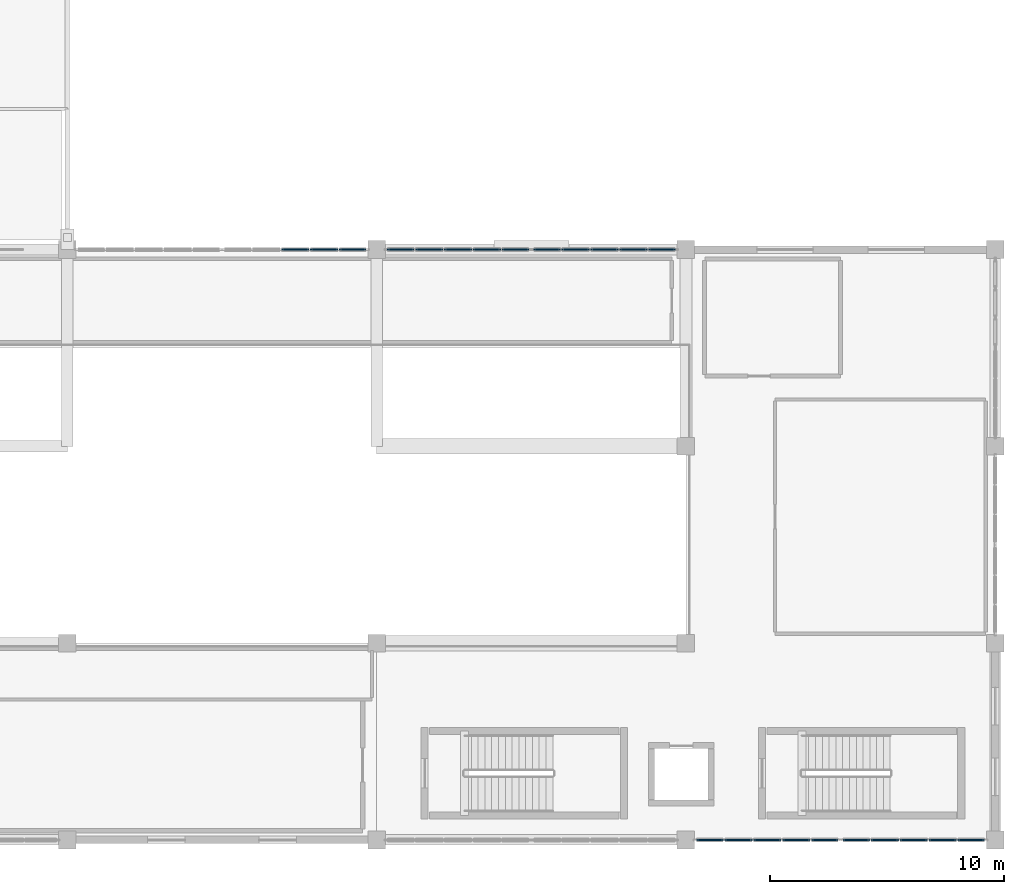
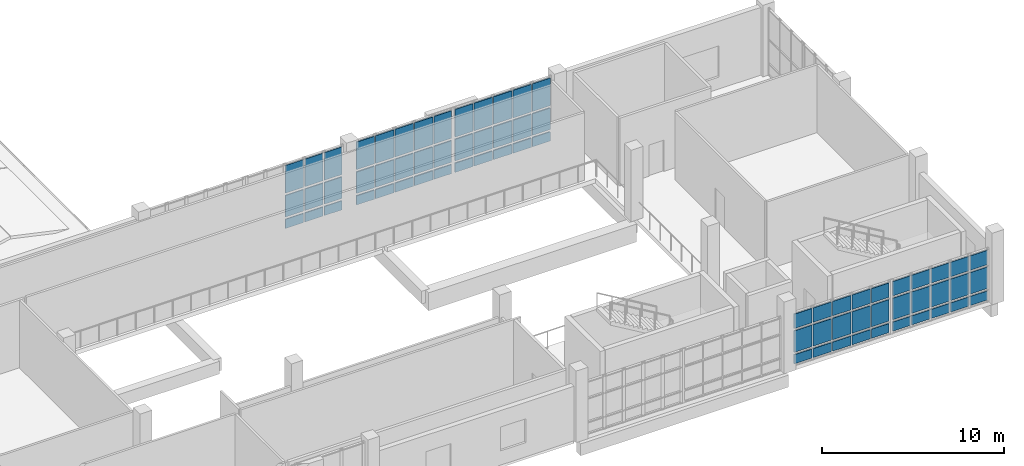
# One storey, part 75 of 106: 69 plates, 5 elements without a shape of their own.
"""IFC4 building model written with IfcOpenShell, lengths in metres."""

from ifc_helpers import new_model, si_unit, direction, frame, origin, origin_2d, place, context, subcontext, project, spatial, rectangle, extrude, material, layer, layer_set, type_object, element, aggregate, save


model = new_model("IFC4")

# Units and contexts
model_context = context("Model", 3, precision=1e-05, world=origin(), true_north=direction((0.0, 1.0)))
body_context = subcontext(model_context, "Body", "Model", "MODEL_VIEW")
ifc_project = project(units=[si_unit("LENGTHUNIT", "METRE"), si_unit("AREAUNIT", "SQUARE_METRE"), si_unit("VOLUMEUNIT", "CUBIC_METRE"), si_unit("PLANEANGLEUNIT", "RADIAN"), si_unit("MASSUNIT", "GRAM", prefix="KILO")], contexts=[model_context])

# Site, building, storey
site_placement = place(None, origin())
site = spatial("IfcSite", under=ifc_project, at=site_placement, CompositionType="ELEMENT")
building_placement = place(site_placement, origin())
building = spatial("IfcBuilding", under=site, at=building_placement, Name="Kisaragi Civic Commons", CompositionType="ELEMENT")
storey_placement = place(building_placement, frame((0.0, 0.0, 4.800048828125)))
storey = spatial("IfcBuildingStorey", under=building, at=storey_placement, Name="L01", CompositionType="ELEMENT", Elevation=4.800048828125)

# Curtain wall, plates
ifc_material = material(Name="Thermally broken anodized aluminium and low-E double glazing", Category="aluminium")
ifc_layer_1 = layer(ifc_material, 0.2099609375, Name="Thermally broken anodized aluminium and low-E double glazing", Category="aluminium")
ifc_layer_set_1 = layer_set([ifc_layer_1], Name="Thermally broken anodized aluminium and low-E double glazing")
curtain_wall_type = type_object("IfcCurtainWallType", Name="CW-02", PredefinedType="NOTDEFINED", material=ifc_layer_set_1)
curtain_wall_1_placement = place(storey_placement, origin())
curtain_wall_1 = element("IfcCurtainWall", 1, at=curtain_wall_1_placement, inside=storey, type_object=curtain_wall_type, Name="L01 curtain wall CW-02 CW-V3-L01-020", PredefinedType="NOTDEFINED")
ifc_layer_2 = layer(ifc_material, 0.06005859375, Name="Thermally broken anodized aluminium and low-E double glazing", Category="aluminium")
ifc_layer_set_2 = layer_set([ifc_layer_2], Name="Thermally broken anodized aluminium and low-E double glazing")
plate_type_1 = type_object("IfcPlateType", Name="CWP-07", PredefinedType="CURTAIN_PANEL", material=ifc_layer_set_2)
plate_1_placement = place(storey_placement, frame((142.925048828125, 25.199951171875, 0.15966796875), z_axis=(0.0, 0.0, 1.0), x_axis=(1.0, 0.0, 0.0)))
plate_1 = element("IfcPlate", 2, at=plate_1_placement, type_object=plate_type_1, Name="CW-02 panel 3.1", PredefinedType="CURTAIN_PANEL", context=body_context, shape_type="SweptSolid", body=[
    extrude(rectangle(XDim=1.1640625, YDim=0.06005859375, at=origin_2d()), origin(), (0.0, 0.0, 1.0), 0.610107421875),
])
plate_2_placement = place(storey_placement, frame((142.925048828125, 25.199951171875, 0.929931640625), z_axis=(0.0, 0.0, 1.0), x_axis=(1.0, 0.0, 0.0)))
plate_2 = element("IfcPlate", 3, at=plate_2_placement, type_object=plate_type_1, Name="CW-02 panel 3.2", PredefinedType="CURTAIN_PANEL", context=body_context, shape_type="SweptSolid", body=[
    extrude(rectangle(XDim=1.1640625, YDim=0.06005859375, at=origin_2d()), origin(), (0.0, 0.0, 1.0), 1.43994140625),
])
plate_3_placement = place(storey_placement, frame((142.925048828125, 25.199951171875, 2.52978515625), z_axis=(0.0, 0.0, 1.0), x_axis=(1.0, 0.0, 0.0)))
plate_3 = element("IfcPlate", 4, at=plate_3_placement, type_object=plate_type_1, Name="CW-02 panel 3.3", PredefinedType="CURTAIN_PANEL", context=body_context, shape_type="SweptSolid", body=[
    extrude(rectangle(XDim=1.1640625, YDim=0.06005859375, at=origin_2d()), origin(), (0.0, 0.0, 1.0), 1.85009765625),
])
plate_4_placement = place(storey_placement, frame((144.158935546875, 25.199951171875, 0.15966796875), z_axis=(0.0, 0.0, 1.0), x_axis=(1.0, 0.0, 0.0)))
plate_4 = element("IfcPlate", 5, at=plate_4_placement, type_object=plate_type_1, Name="CW-02 panel 4.1", PredefinedType="CURTAIN_PANEL", context=body_context, shape_type="SweptSolid", body=[
    extrude(rectangle(XDim=1.1640625, YDim=0.06005859375, at=origin_2d()), origin(), (0.0, 0.0, 1.0), 0.610107421875),
])
plate_5_placement = place(storey_placement, frame((144.158935546875, 25.199951171875, 0.929931640625), z_axis=(0.0, 0.0, 1.0), x_axis=(1.0, 0.0, 0.0)))
plate_5 = element("IfcPlate", 6, at=plate_5_placement, type_object=plate_type_1, Name="CW-02 panel 4.2", PredefinedType="CURTAIN_PANEL", context=body_context, shape_type="SweptSolid", body=[
    extrude(rectangle(XDim=1.1640625, YDim=0.06005859375, at=origin_2d()), origin(), (0.0, 0.0, 1.0), 1.43994140625),
])
plate_6_placement = place(storey_placement, frame((144.158935546875, 25.199951171875, 2.52978515625), z_axis=(0.0, 0.0, 1.0), x_axis=(1.0, 0.0, 0.0)))
plate_6 = element("IfcPlate", 7, at=plate_6_placement, type_object=plate_type_1, Name="CW-02 panel 4.3", PredefinedType="CURTAIN_PANEL", context=body_context, shape_type="SweptSolid", body=[
    extrude(rectangle(XDim=1.1640625, YDim=0.06005859375, at=origin_2d()), origin(), (0.0, 0.0, 1.0), 1.85009765625),
])
plate_7_placement = place(storey_placement, frame((145.37548828125, 25.199951171875, 0.15966796875), z_axis=(0.0, 0.0, 1.0), x_axis=(1.0, 0.0, 0.0)))
plate_7 = element("IfcPlate", 8, at=plate_7_placement, type_object=plate_type_1, Name="CW-02 panel 5.1", PredefinedType="CURTAIN_PANEL", context=body_context, shape_type="SweptSolid", body=[
    extrude(rectangle(XDim=1.12890625, YDim=0.06005859375, at=origin_2d()), origin(), (0.0, 0.0, 1.0), 0.610107421875),
])
plate_8_placement = place(storey_placement, frame((145.37548828125, 25.199951171875, 0.929931640625), z_axis=(0.0, 0.0, 1.0), x_axis=(1.0, 0.0, 0.0)))
plate_8 = element("IfcPlate", 9, at=plate_8_placement, type_object=plate_type_1, Name="CW-02 panel 5.2", PredefinedType="CURTAIN_PANEL", context=body_context, shape_type="SweptSolid", body=[
    extrude(rectangle(XDim=1.12890625, YDim=0.06005859375, at=origin_2d()), origin(), (0.0, 0.0, 1.0), 1.43994140625),
])
plate_9_placement = place(storey_placement, frame((145.37548828125, 25.199951171875, 2.52978515625), z_axis=(0.0, 0.0, 1.0), x_axis=(1.0, 0.0, 0.0)))
plate_9 = element("IfcPlate", 10, at=plate_9_placement, type_object=plate_type_1, Name="CW-02 panel 5.3", PredefinedType="CURTAIN_PANEL", context=body_context, shape_type="SweptSolid", body=[
    extrude(rectangle(XDim=1.12890625, YDim=0.06005859375, at=origin_2d()), origin(), (0.0, 0.0, 1.0), 1.85009765625),
])
aggregate(curtain_wall_1, [plate_1, plate_2, plate_3, plate_4, plate_5, plate_6, plate_7, plate_8, plate_9])

curtain_wall_2_placement = place(storey_placement, origin())
curtain_wall_2 = element("IfcCurtainWall", 11, at=curtain_wall_2_placement, inside=storey, type_object=curtain_wall_type, Name="L01 curtain wall CW-02 CW-V3-L01-021", PredefinedType="NOTDEFINED")
ifc_layer_3 = layer(ifc_material, 0.073974609375, Name="Thermally broken anodized aluminium and low-E double glazing", Category="aluminium")
ifc_layer_set_3 = layer_set([ifc_layer_3], Name="Thermally broken anodized aluminium and low-E double glazing")
plate_type_2 = type_object("IfcPlateType", Name="CWP-09", PredefinedType="CURTAIN_PANEL", material=ifc_layer_set_3)
plate_10_placement = place(storey_placement, frame((147.424560546875, 25.199951171875, 0.15966796875), z_axis=(0.0, 0.0, 1.0), x_axis=(1.0, 0.0, 0.0)))
plate_10 = element("IfcPlate", 12, at=plate_10_placement, type_object=plate_type_2, Name="CW-02 panel 1.1", PredefinedType="CURTAIN_PANEL", context=body_context, shape_type="SweptSolid", body=[
    extrude(rectangle(XDim=1.12890625, YDim=0.073974609375, at=origin_2d()), origin(), (0.0, 0.0, 1.0), 0.610107421875),
])
plate_11_placement = place(storey_placement, frame((147.424560546875, 25.199951171875, 0.929931640625), z_axis=(0.0, 0.0, 1.0), x_axis=(1.0, 0.0, 0.0)))
plate_11 = element("IfcPlate", 13, at=plate_11_placement, type_object=plate_type_2, Name="CW-02 panel 1.2", PredefinedType="CURTAIN_PANEL", context=body_context, shape_type="SweptSolid", body=[
    extrude(rectangle(XDim=1.12890625, YDim=0.073974609375, at=origin_2d()), origin(), (0.0, 0.0, 1.0), 1.43994140625),
])
plate_12_placement = place(storey_placement, frame((147.424560546875, 25.199951171875, 2.52978515625), z_axis=(0.0, 0.0, 1.0), x_axis=(1.0, 0.0, 0.0)))
plate_12 = element("IfcPlate", 14, at=plate_12_placement, type_object=plate_type_2, Name="CW-02 panel 1.3", PredefinedType="CURTAIN_PANEL", context=body_context, shape_type="SweptSolid", body=[
    extrude(rectangle(XDim=1.12890625, YDim=0.073974609375, at=origin_2d()), origin(), (0.0, 0.0, 1.0), 1.85009765625),
])
plate_13_placement = place(storey_placement, frame((148.64111328125, 25.199951171875, 0.15966796875), z_axis=(0.0, 0.0, 1.0), x_axis=(1.0, 0.0, 0.0)))
plate_13 = element("IfcPlate", 15, at=plate_13_placement, type_object=plate_type_2, Name="CW-02 panel 2.1", PredefinedType="CURTAIN_PANEL", context=body_context, shape_type="SweptSolid", body=[
    extrude(rectangle(XDim=1.1640625, YDim=0.073974609375, at=origin_2d()), origin(), (0.0, 0.0, 1.0), 0.610107421875),
])
plate_14_placement = place(storey_placement, frame((148.64111328125, 25.199951171875, 0.929931640625), z_axis=(0.0, 0.0, 1.0), x_axis=(1.0, 0.0, 0.0)))
plate_14 = element("IfcPlate", 16, at=plate_14_placement, type_object=plate_type_2, Name="CW-02 panel 2.2", PredefinedType="CURTAIN_PANEL", context=body_context, shape_type="SweptSolid", body=[
    extrude(rectangle(XDim=1.1640625, YDim=0.073974609375, at=origin_2d()), origin(), (0.0, 0.0, 1.0), 1.43994140625),
])
plate_15_placement = place(storey_placement, frame((148.64111328125, 25.199951171875, 2.52978515625), z_axis=(0.0, 0.0, 1.0), x_axis=(1.0, 0.0, 0.0)))
plate_15 = element("IfcPlate", 17, at=plate_15_placement, type_object=plate_type_2, Name="CW-02 panel 2.3", PredefinedType="CURTAIN_PANEL", context=body_context, shape_type="SweptSolid", body=[
    extrude(rectangle(XDim=1.1640625, YDim=0.073974609375, at=origin_2d()), origin(), (0.0, 0.0, 1.0), 1.85009765625),
])
plate_16_placement = place(storey_placement, frame((149.875, 25.199951171875, 0.15966796875), z_axis=(0.0, 0.0, 1.0), x_axis=(1.0, 0.0, 0.0)))
plate_16 = element("IfcPlate", 18, at=plate_16_placement, type_object=plate_type_2, Name="CW-02 panel 3.1", PredefinedType="CURTAIN_PANEL", context=body_context, shape_type="SweptSolid", body=[
    extrude(rectangle(XDim=1.1640625, YDim=0.073974609375, at=origin_2d()), origin(), (0.0, 0.0, 1.0), 0.610107421875),
])
plate_17_placement = place(storey_placement, frame((149.875, 25.199951171875, 0.929931640625), z_axis=(0.0, 0.0, 1.0), x_axis=(1.0, 0.0, 0.0)))
plate_17 = element("IfcPlate", 19, at=plate_17_placement, type_object=plate_type_2, Name="CW-02 panel 3.2", PredefinedType="CURTAIN_PANEL", context=body_context, shape_type="SweptSolid", body=[
    extrude(rectangle(XDim=1.1640625, YDim=0.073974609375, at=origin_2d()), origin(), (0.0, 0.0, 1.0), 1.43994140625),
])
plate_18_placement = place(storey_placement, frame((149.875, 25.199951171875, 2.52978515625), z_axis=(0.0, 0.0, 1.0), x_axis=(1.0, 0.0, 0.0)))
plate_18 = element("IfcPlate", 20, at=plate_18_placement, type_object=plate_type_2, Name="CW-02 panel 3.3", PredefinedType="CURTAIN_PANEL", context=body_context, shape_type="SweptSolid", body=[
    extrude(rectangle(XDim=1.1640625, YDim=0.073974609375, at=origin_2d()), origin(), (0.0, 0.0, 1.0), 1.85009765625),
])
plate_19_placement = place(storey_placement, frame((151.10888671875, 25.199951171875, 0.15966796875), z_axis=(0.0, 0.0, 1.0), x_axis=(1.0, 0.0, 0.0)))
plate_19 = element("IfcPlate", 21, at=plate_19_placement, type_object=plate_type_2, Name="CW-02 panel 4.1", PredefinedType="CURTAIN_PANEL", context=body_context, shape_type="SweptSolid", body=[
    extrude(rectangle(XDim=1.1640625, YDim=0.073974609375, at=origin_2d()), origin(), (0.0, 0.0, 1.0), 0.610107421875),
])
plate_20_placement = place(storey_placement, frame((151.10888671875, 25.199951171875, 0.929931640625), z_axis=(0.0, 0.0, 1.0), x_axis=(1.0, 0.0, 0.0)))
plate_20 = element("IfcPlate", 22, at=plate_20_placement, type_object=plate_type_2, Name="CW-02 panel 4.2", PredefinedType="CURTAIN_PANEL", context=body_context, shape_type="SweptSolid", body=[
    extrude(rectangle(XDim=1.1640625, YDim=0.073974609375, at=origin_2d()), origin(), (0.0, 0.0, 1.0), 1.43994140625),
])
plate_21_placement = place(storey_placement, frame((151.10888671875, 25.199951171875, 2.52978515625), z_axis=(0.0, 0.0, 1.0), x_axis=(1.0, 0.0, 0.0)))
plate_21 = element("IfcPlate", 23, at=plate_21_placement, type_object=plate_type_2, Name="CW-02 panel 4.3", PredefinedType="CURTAIN_PANEL", context=body_context, shape_type="SweptSolid", body=[
    extrude(rectangle(XDim=1.1640625, YDim=0.073974609375, at=origin_2d()), origin(), (0.0, 0.0, 1.0), 1.85009765625),
])
plate_22_placement = place(storey_placement, frame((152.325439453125, 25.199951171875, 0.15966796875), z_axis=(0.0, 0.0, 1.0), x_axis=(1.0, 0.0, 0.0)))
plate_22 = element("IfcPlate", 24, at=plate_22_placement, type_object=plate_type_2, Name="CW-02 panel 5.1", PredefinedType="CURTAIN_PANEL", context=body_context, shape_type="SweptSolid", body=[
    extrude(rectangle(XDim=1.12890625, YDim=0.073974609375, at=origin_2d()), origin(), (0.0, 0.0, 1.0), 0.610107421875),
])
plate_23_placement = place(storey_placement, frame((152.325439453125, 25.199951171875, 0.929931640625), z_axis=(0.0, 0.0, 1.0), x_axis=(1.0, 0.0, 0.0)))
plate_23 = element("IfcPlate", 25, at=plate_23_placement, type_object=plate_type_2, Name="CW-02 panel 5.2", PredefinedType="CURTAIN_PANEL", context=body_context, shape_type="SweptSolid", body=[
    extrude(rectangle(XDim=1.12890625, YDim=0.073974609375, at=origin_2d()), origin(), (0.0, 0.0, 1.0), 1.43994140625),
])
plate_24_placement = place(storey_placement, frame((152.325439453125, 25.199951171875, 2.52978515625), z_axis=(0.0, 0.0, 1.0), x_axis=(1.0, 0.0, 0.0)))
plate_24 = element("IfcPlate", 26, at=plate_24_placement, type_object=plate_type_2, Name="CW-02 panel 5.3", PredefinedType="CURTAIN_PANEL", context=body_context, shape_type="SweptSolid", body=[
    extrude(rectangle(XDim=1.12890625, YDim=0.073974609375, at=origin_2d()), origin(), (0.0, 0.0, 1.0), 1.85009765625),
])
aggregate(curtain_wall_2, [plate_10, plate_11, plate_12, plate_13, plate_14, plate_15, plate_16, plate_17, plate_18, plate_19, plate_20, plate_21, plate_22, plate_23, plate_24])

curtain_wall_3_placement = place(storey_placement, origin())
curtain_wall_3 = element("IfcCurtainWall", 27, at=curtain_wall_3_placement, inside=storey, type_object=curtain_wall_type, Name="L01 curtain wall CW-02 CW-V3-L01-022", PredefinedType="NOTDEFINED")
ifc_layer_4 = layer(ifc_material, 0.080078125, Name="Thermally broken anodized aluminium and low-E double glazing", Category="aluminium")
ifc_layer_set_4 = layer_set([ifc_layer_4], Name="Thermally broken anodized aluminium and low-E double glazing")
plate_type_3 = type_object("IfcPlateType", Name="CWP-10", PredefinedType="CURTAIN_PANEL", material=ifc_layer_set_4)
plate_25_placement = place(storey_placement, frame((153.674560546875, 25.199951171875, 0.15966796875), z_axis=(0.0, 0.0, 1.0), x_axis=(1.0, 0.0, 0.0)))
plate_25 = element("IfcPlate", 28, at=plate_25_placement, type_object=plate_type_3, Name="CW-02 panel 1.1", PredefinedType="CURTAIN_PANEL", context=body_context, shape_type="SweptSolid", body=[
    extrude(rectangle(XDim=1.12890625, YDim=0.080078125, at=origin_2d()), origin(), (0.0, 0.0, 1.0), 0.610107421875),
])
plate_26_placement = place(storey_placement, frame((153.674560546875, 25.199951171875, 0.929931640625), z_axis=(0.0, 0.0, 1.0), x_axis=(1.0, 0.0, 0.0)))
plate_26 = element("IfcPlate", 29, at=plate_26_placement, type_object=plate_type_3, Name="CW-02 panel 1.2", PredefinedType="CURTAIN_PANEL", context=body_context, shape_type="SweptSolid", body=[
    extrude(rectangle(XDim=1.12890625, YDim=0.080078125, at=origin_2d()), origin(), (0.0, 0.0, 1.0), 1.43994140625),
])
plate_27_placement = place(storey_placement, frame((153.674560546875, 25.199951171875, 2.52978515625), z_axis=(0.0, 0.0, 1.0), x_axis=(1.0, 0.0, 0.0)))
plate_27 = element("IfcPlate", 30, at=plate_27_placement, type_object=plate_type_3, Name="CW-02 panel 1.3", PredefinedType="CURTAIN_PANEL", context=body_context, shape_type="SweptSolid", body=[
    extrude(rectangle(XDim=1.12890625, YDim=0.080078125, at=origin_2d()), origin(), (0.0, 0.0, 1.0), 1.85009765625),
])
plate_28_placement = place(storey_placement, frame((154.89111328125, 25.199951171875, 0.15966796875), z_axis=(0.0, 0.0, 1.0), x_axis=(1.0, 0.0, 0.0)))
plate_28 = element("IfcPlate", 31, at=plate_28_placement, type_object=plate_type_3, Name="CW-02 panel 2.1", PredefinedType="CURTAIN_PANEL", context=body_context, shape_type="SweptSolid", body=[
    extrude(rectangle(XDim=1.1640625, YDim=0.080078125, at=origin_2d()), origin(), (0.0, 0.0, 1.0), 0.610107421875),
])
plate_29_placement = place(storey_placement, frame((154.89111328125, 25.199951171875, 0.929931640625), z_axis=(0.0, 0.0, 1.0), x_axis=(1.0, 0.0, 0.0)))
plate_29 = element("IfcPlate", 32, at=plate_29_placement, type_object=plate_type_3, Name="CW-02 panel 2.2", PredefinedType="CURTAIN_PANEL", context=body_context, shape_type="SweptSolid", body=[
    extrude(rectangle(XDim=1.1640625, YDim=0.080078125, at=origin_2d()), origin(), (0.0, 0.0, 1.0), 1.43994140625),
])
plate_30_placement = place(storey_placement, frame((154.89111328125, 25.199951171875, 2.52978515625), z_axis=(0.0, 0.0, 1.0), x_axis=(1.0, 0.0, 0.0)))
plate_30 = element("IfcPlate", 33, at=plate_30_placement, type_object=plate_type_3, Name="CW-02 panel 2.3", PredefinedType="CURTAIN_PANEL", context=body_context, shape_type="SweptSolid", body=[
    extrude(rectangle(XDim=1.1640625, YDim=0.080078125, at=origin_2d()), origin(), (0.0, 0.0, 1.0), 1.85009765625),
])
plate_31_placement = place(storey_placement, frame((156.125, 25.199951171875, 0.15966796875), z_axis=(0.0, 0.0, 1.0), x_axis=(1.0, 0.0, 0.0)))
plate_31 = element("IfcPlate", 34, at=plate_31_placement, type_object=plate_type_3, Name="CW-02 panel 3.1", PredefinedType="CURTAIN_PANEL", context=body_context, shape_type="SweptSolid", body=[
    extrude(rectangle(XDim=1.1640625, YDim=0.080078125, at=origin_2d()), origin(), (0.0, 0.0, 1.0), 0.610107421875),
])
plate_32_placement = place(storey_placement, frame((156.125, 25.199951171875, 0.929931640625), z_axis=(0.0, 0.0, 1.0), x_axis=(1.0, 0.0, 0.0)))
plate_32 = element("IfcPlate", 35, at=plate_32_placement, type_object=plate_type_3, Name="CW-02 panel 3.2", PredefinedType="CURTAIN_PANEL", context=body_context, shape_type="SweptSolid", body=[
    extrude(rectangle(XDim=1.1640625, YDim=0.080078125, at=origin_2d()), origin(), (0.0, 0.0, 1.0), 1.43994140625),
])
plate_33_placement = place(storey_placement, frame((156.125, 25.199951171875, 2.52978515625), z_axis=(0.0, 0.0, 1.0), x_axis=(1.0, 0.0, 0.0)))
plate_33 = element("IfcPlate", 36, at=plate_33_placement, type_object=plate_type_3, Name="CW-02 panel 3.3", PredefinedType="CURTAIN_PANEL", context=body_context, shape_type="SweptSolid", body=[
    extrude(rectangle(XDim=1.1640625, YDim=0.080078125, at=origin_2d()), origin(), (0.0, 0.0, 1.0), 1.85009765625),
])
plate_34_placement = place(storey_placement, frame((157.35888671875, 25.199951171875, 0.15966796875), z_axis=(0.0, 0.0, 1.0), x_axis=(1.0, 0.0, 0.0)))
plate_34 = element("IfcPlate", 37, at=plate_34_placement, type_object=plate_type_3, Name="CW-02 panel 4.1", PredefinedType="CURTAIN_PANEL", context=body_context, shape_type="SweptSolid", body=[
    extrude(rectangle(XDim=1.1640625, YDim=0.080078125, at=origin_2d()), origin(), (0.0, 0.0, 1.0), 0.610107421875),
])
plate_35_placement = place(storey_placement, frame((157.35888671875, 25.199951171875, 0.929931640625), z_axis=(0.0, 0.0, 1.0), x_axis=(1.0, 0.0, 0.0)))
plate_35 = element("IfcPlate", 38, at=plate_35_placement, type_object=plate_type_3, Name="CW-02 panel 4.2", PredefinedType="CURTAIN_PANEL", context=body_context, shape_type="SweptSolid", body=[
    extrude(rectangle(XDim=1.1640625, YDim=0.080078125, at=origin_2d()), origin(), (0.0, 0.0, 1.0), 1.43994140625),
])
plate_36_placement = place(storey_placement, frame((157.35888671875, 25.199951171875, 2.52978515625), z_axis=(0.0, 0.0, 1.0), x_axis=(1.0, 0.0, 0.0)))
plate_36 = element("IfcPlate", 39, at=plate_36_placement, type_object=plate_type_3, Name="CW-02 panel 4.3", PredefinedType="CURTAIN_PANEL", context=body_context, shape_type="SweptSolid", body=[
    extrude(rectangle(XDim=1.1640625, YDim=0.080078125, at=origin_2d()), origin(), (0.0, 0.0, 1.0), 1.85009765625),
])
plate_37_placement = place(storey_placement, frame((158.575439453125, 25.199951171875, 0.15966796875), z_axis=(0.0, 0.0, 1.0), x_axis=(1.0, 0.0, 0.0)))
plate_37 = element("IfcPlate", 40, at=plate_37_placement, type_object=plate_type_3, Name="CW-02 panel 5.1", PredefinedType="CURTAIN_PANEL", context=body_context, shape_type="SweptSolid", body=[
    extrude(rectangle(XDim=1.12890625, YDim=0.080078125, at=origin_2d()), origin(), (0.0, 0.0, 1.0), 0.610107421875),
])
plate_38_placement = place(storey_placement, frame((158.575439453125, 25.199951171875, 0.929931640625), z_axis=(0.0, 0.0, 1.0), x_axis=(1.0, 0.0, 0.0)))
plate_38 = element("IfcPlate", 41, at=plate_38_placement, type_object=plate_type_3, Name="CW-02 panel 5.2", PredefinedType="CURTAIN_PANEL", context=body_context, shape_type="SweptSolid", body=[
    extrude(rectangle(XDim=1.12890625, YDim=0.080078125, at=origin_2d()), origin(), (0.0, 0.0, 1.0), 1.43994140625),
])
plate_39_placement = place(storey_placement, frame((158.575439453125, 25.199951171875, 2.52978515625), z_axis=(0.0, 0.0, 1.0), x_axis=(1.0, 0.0, 0.0)))
plate_39 = element("IfcPlate", 42, at=plate_39_placement, type_object=plate_type_3, Name="CW-02 panel 5.3", PredefinedType="CURTAIN_PANEL", context=body_context, shape_type="SweptSolid", body=[
    extrude(rectangle(XDim=1.12890625, YDim=0.080078125, at=origin_2d()), origin(), (0.0, 0.0, 1.0), 1.85009765625),
])
aggregate(curtain_wall_3, [plate_25, plate_26, plate_27, plate_28, plate_29, plate_30, plate_31, plate_32, plate_33, plate_34, plate_35, plate_36, plate_37, plate_38, plate_39])

curtain_wall_4_placement = place(storey_placement, origin())
curtain_wall_4 = element("IfcCurtainWall", 43, at=curtain_wall_4_placement, inside=storey, type_object=curtain_wall_type, Name="L01 curtain wall CW-02 CW-V3-L01-027", PredefinedType="NOTDEFINED")
ifc_layer_5 = layer(ifc_material, 0.06201171875, Name="Thermally broken anodized aluminium and low-E double glazing", Category="aluminium")
ifc_layer_set_5 = layer_set([ifc_layer_5], Name="Thermally broken anodized aluminium and low-E double glazing")
plate_type_4 = type_object("IfcPlateType", Name="CWP-16", PredefinedType="CURTAIN_PANEL", material=ifc_layer_set_5)
plate_40_placement = place(storey_placement, frame((171.775390625, 0.0, 0.15966796875), z_axis=(0.0, 0.0, 1.0), x_axis=(-1.0, 0.0, 0.0)))
plate_40 = element("IfcPlate", 44, at=plate_40_placement, type_object=plate_type_4, Name="CW-02 panel 1.1", PredefinedType="CURTAIN_PANEL", context=body_context, shape_type="SweptSolid", body=[
    extrude(rectangle(XDim=1.12890625, YDim=0.06201171875, at=origin_2d()), origin(), (0.0, 0.0, 1.0), 0.610107421875),
])
plate_41_placement = place(storey_placement, frame((171.775390625, 0.0, 0.929931640625), z_axis=(0.0, 0.0, 1.0), x_axis=(-1.0, 0.0, 0.0)))
plate_41 = element("IfcPlate", 45, at=plate_41_placement, type_object=plate_type_4, Name="CW-02 panel 1.2", PredefinedType="CURTAIN_PANEL", context=body_context, shape_type="SweptSolid", body=[
    extrude(rectangle(XDim=1.12890625, YDim=0.06201171875, at=origin_2d()), origin(), (0.0, 0.0, 1.0), 1.43994140625),
])
plate_42_placement = place(storey_placement, frame((171.775390625, 0.0, 2.52978515625), z_axis=(0.0, 0.0, 1.0), x_axis=(-1.0, 0.0, 0.0)))
plate_42 = element("IfcPlate", 46, at=plate_42_placement, type_object=plate_type_4, Name="CW-02 panel 1.3", PredefinedType="CURTAIN_PANEL", context=body_context, shape_type="SweptSolid", body=[
    extrude(rectangle(XDim=1.12890625, YDim=0.06201171875, at=origin_2d()), origin(), (0.0, 0.0, 1.0), 0.965087890625),
])
plate_43_placement = place(storey_placement, frame((170.55908203125, 0.0, 0.15966796875), z_axis=(0.0, 0.0, 1.0), x_axis=(-1.0, 0.0, 0.0)))
plate_43 = element("IfcPlate", 47, at=plate_43_placement, type_object=plate_type_4, Name="CW-02 panel 2.1", PredefinedType="CURTAIN_PANEL", context=body_context, shape_type="SweptSolid", body=[
    extrude(rectangle(XDim=1.1640625, YDim=0.06201171875, at=origin_2d()), origin(), (0.0, 0.0, 1.0), 0.610107421875),
])
plate_44_placement = place(storey_placement, frame((170.55908203125, 0.0, 0.929931640625), z_axis=(0.0, 0.0, 1.0), x_axis=(-1.0, 0.0, 0.0)))
plate_44 = element("IfcPlate", 48, at=plate_44_placement, type_object=plate_type_4, Name="CW-02 panel 2.2", PredefinedType="CURTAIN_PANEL", context=body_context, shape_type="SweptSolid", body=[
    extrude(rectangle(XDim=1.1640625, YDim=0.06201171875, at=origin_2d()), origin(), (0.0, 0.0, 1.0), 1.43994140625),
])
plate_45_placement = place(storey_placement, frame((170.55908203125, 0.0, 2.52978515625), z_axis=(0.0, 0.0, 1.0), x_axis=(-1.0, 0.0, 0.0)))
plate_45 = element("IfcPlate", 49, at=plate_45_placement, type_object=plate_type_4, Name="CW-02 panel 2.3", PredefinedType="CURTAIN_PANEL", context=body_context, shape_type="SweptSolid", body=[
    extrude(rectangle(XDim=1.1640625, YDim=0.06201171875, at=origin_2d()), origin(), (0.0, 0.0, 1.0), 0.965087890625),
])
plate_46_placement = place(storey_placement, frame((169.324951171875, 0.0, 0.15966796875), z_axis=(0.0, 0.0, 1.0), x_axis=(-1.0, 0.0, 0.0)))
plate_46 = element("IfcPlate", 50, at=plate_46_placement, type_object=plate_type_4, Name="CW-02 panel 3.1", PredefinedType="CURTAIN_PANEL", context=body_context, shape_type="SweptSolid", body=[
    extrude(rectangle(XDim=1.1640625, YDim=0.06201171875, at=origin_2d()), origin(), (0.0, 0.0, 1.0), 0.610107421875),
])
plate_47_placement = place(storey_placement, frame((169.324951171875, 0.0, 0.929931640625), z_axis=(0.0, 0.0, 1.0), x_axis=(-1.0, 0.0, 0.0)))
plate_47 = element("IfcPlate", 51, at=plate_47_placement, type_object=plate_type_4, Name="CW-02 panel 3.2", PredefinedType="CURTAIN_PANEL", context=body_context, shape_type="SweptSolid", body=[
    extrude(rectangle(XDim=1.1640625, YDim=0.06201171875, at=origin_2d()), origin(), (0.0, 0.0, 1.0), 1.43994140625),
])
plate_48_placement = place(storey_placement, frame((169.324951171875, 0.0, 2.52978515625), z_axis=(0.0, 0.0, 1.0), x_axis=(-1.0, 0.0, 0.0)))
plate_48 = element("IfcPlate", 52, at=plate_48_placement, type_object=plate_type_4, Name="CW-02 panel 3.3", PredefinedType="CURTAIN_PANEL", context=body_context, shape_type="SweptSolid", body=[
    extrude(rectangle(XDim=1.1640625, YDim=0.06201171875, at=origin_2d()), origin(), (0.0, 0.0, 1.0), 0.965087890625),
])
plate_49_placement = place(storey_placement, frame((168.091064453125, 0.0, 0.15966796875), z_axis=(0.0, 0.0, 1.0), x_axis=(-1.0, 0.0, 0.0)))
plate_49 = element("IfcPlate", 53, at=plate_49_placement, type_object=plate_type_4, Name="CW-02 panel 4.1", PredefinedType="CURTAIN_PANEL", context=body_context, shape_type="SweptSolid", body=[
    extrude(rectangle(XDim=1.1640625, YDim=0.06201171875, at=origin_2d()), origin(), (0.0, 0.0, 1.0), 0.610107421875),
])
plate_50_placement = place(storey_placement, frame((168.091064453125, 0.0, 0.929931640625), z_axis=(0.0, 0.0, 1.0), x_axis=(-1.0, 0.0, 0.0)))
plate_50 = element("IfcPlate", 54, at=plate_50_placement, type_object=plate_type_4, Name="CW-02 panel 4.2", PredefinedType="CURTAIN_PANEL", context=body_context, shape_type="SweptSolid", body=[
    extrude(rectangle(XDim=1.1640625, YDim=0.06201171875, at=origin_2d()), origin(), (0.0, 0.0, 1.0), 1.43994140625),
])
plate_51_placement = place(storey_placement, frame((168.091064453125, 0.0, 2.52978515625), z_axis=(0.0, 0.0, 1.0), x_axis=(-1.0, 0.0, 0.0)))
plate_51 = element("IfcPlate", 55, at=plate_51_placement, type_object=plate_type_4, Name="CW-02 panel 4.3", PredefinedType="CURTAIN_PANEL", context=body_context, shape_type="SweptSolid", body=[
    extrude(rectangle(XDim=1.1640625, YDim=0.06201171875, at=origin_2d()), origin(), (0.0, 0.0, 1.0), 0.965087890625),
])
plate_52_placement = place(storey_placement, frame((166.87451171875, 0.0, 0.15966796875), z_axis=(0.0, 0.0, 1.0), x_axis=(-1.0, 0.0, 0.0)))
plate_52 = element("IfcPlate", 56, at=plate_52_placement, type_object=plate_type_4, Name="CW-02 panel 5.1", PredefinedType="CURTAIN_PANEL", context=body_context, shape_type="SweptSolid", body=[
    extrude(rectangle(XDim=1.12890625, YDim=0.06201171875, at=origin_2d()), origin(), (0.0, 0.0, 1.0), 0.610107421875),
])
plate_53_placement = place(storey_placement, frame((166.87451171875, 0.0, 0.929931640625), z_axis=(0.0, 0.0, 1.0), x_axis=(-1.0, 0.0, 0.0)))
plate_53 = element("IfcPlate", 57, at=plate_53_placement, type_object=plate_type_4, Name="CW-02 panel 5.2", PredefinedType="CURTAIN_PANEL", context=body_context, shape_type="SweptSolid", body=[
    extrude(rectangle(XDim=1.12890625, YDim=0.06201171875, at=origin_2d()), origin(), (0.0, 0.0, 1.0), 1.43994140625),
])
plate_54_placement = place(storey_placement, frame((166.87451171875, 0.0, 2.52978515625), z_axis=(0.0, 0.0, 1.0), x_axis=(-1.0, 0.0, 0.0)))
plate_54 = element("IfcPlate", 58, at=plate_54_placement, type_object=plate_type_4, Name="CW-02 panel 5.3", PredefinedType="CURTAIN_PANEL", context=body_context, shape_type="SweptSolid", body=[
    extrude(rectangle(XDim=1.12890625, YDim=0.06201171875, at=origin_2d()), origin(), (0.0, 0.0, 1.0), 0.965087890625),
])
aggregate(curtain_wall_4, [plate_40, plate_41, plate_42, plate_43, plate_44, plate_45, plate_46, plate_47, plate_48, plate_49, plate_50, plate_51, plate_52, plate_53, plate_54])

curtain_wall_5_placement = place(storey_placement, origin())
curtain_wall_5 = element("IfcCurtainWall", 59, at=curtain_wall_5_placement, inside=storey, type_object=curtain_wall_type, Name="L01 curtain wall CW-02 CW-V3-L01-028", PredefinedType="NOTDEFINED")
ifc_layer_6 = layer(ifc_material, 0.070068359375, Name="Thermally broken anodized aluminium and low-E double glazing", Category="aluminium")
ifc_layer_set_6 = layer_set([ifc_layer_6], Name="Thermally broken anodized aluminium and low-E double glazing")
plate_type_5 = type_object("IfcPlateType", Name="CWP-17", PredefinedType="CURTAIN_PANEL", material=ifc_layer_set_6)
plate_55_placement = place(storey_placement, frame((165.525390625, 0.0, 0.15966796875), z_axis=(0.0, 0.0, 1.0), x_axis=(-1.0, 0.0, 0.0)))
plate_55 = element("IfcPlate", 60, at=plate_55_placement, type_object=plate_type_5, Name="CW-02 panel 1.1", PredefinedType="CURTAIN_PANEL", context=body_context, shape_type="SweptSolid", body=[
    extrude(rectangle(XDim=1.12890625, YDim=0.070068359375, at=origin_2d()), origin(), (0.0, 0.0, 1.0), 0.610107421875),
])
plate_56_placement = place(storey_placement, frame((165.525390625, 0.0, 0.929931640625), z_axis=(0.0, 0.0, 1.0), x_axis=(-1.0, 0.0, 0.0)))
plate_56 = element("IfcPlate", 61, at=plate_56_placement, type_object=plate_type_5, Name="CW-02 panel 1.2", PredefinedType="CURTAIN_PANEL", context=body_context, shape_type="SweptSolid", body=[
    extrude(rectangle(XDim=1.12890625, YDim=0.070068359375, at=origin_2d()), origin(), (0.0, 0.0, 1.0), 1.43994140625),
])
plate_57_placement = place(storey_placement, frame((165.525390625, 0.0, 2.52978515625), z_axis=(0.0, 0.0, 1.0), x_axis=(-1.0, 0.0, 0.0)))
plate_57 = element("IfcPlate", 62, at=plate_57_placement, type_object=plate_type_5, Name="CW-02 panel 1.3", PredefinedType="CURTAIN_PANEL", context=body_context, shape_type="SweptSolid", body=[
    extrude(rectangle(XDim=1.12890625, YDim=0.070068359375, at=origin_2d()), origin(), (0.0, 0.0, 1.0), 0.965087890625),
])
plate_58_placement = place(storey_placement, frame((164.30908203125, 0.0, 0.15966796875), z_axis=(0.0, 0.0, 1.0), x_axis=(-1.0, 0.0, 0.0)))
plate_58 = element("IfcPlate", 63, at=plate_58_placement, type_object=plate_type_5, Name="CW-02 panel 2.1", PredefinedType="CURTAIN_PANEL", context=body_context, shape_type="SweptSolid", body=[
    extrude(rectangle(XDim=1.1640625, YDim=0.070068359375, at=origin_2d()), origin(), (0.0, 0.0, 1.0), 0.610107421875),
])
plate_59_placement = place(storey_placement, frame((164.30908203125, 0.0, 0.929931640625), z_axis=(0.0, 0.0, 1.0), x_axis=(-1.0, 0.0, 0.0)))
plate_59 = element("IfcPlate", 64, at=plate_59_placement, type_object=plate_type_5, Name="CW-02 panel 2.2", PredefinedType="CURTAIN_PANEL", context=body_context, shape_type="SweptSolid", body=[
    extrude(rectangle(XDim=1.1640625, YDim=0.070068359375, at=origin_2d()), origin(), (0.0, 0.0, 1.0), 1.43994140625),
])
plate_60_placement = place(storey_placement, frame((164.30908203125, 0.0, 2.52978515625), z_axis=(0.0, 0.0, 1.0), x_axis=(-1.0, 0.0, 0.0)))
plate_60 = element("IfcPlate", 65, at=plate_60_placement, type_object=plate_type_5, Name="CW-02 panel 2.3", PredefinedType="CURTAIN_PANEL", context=body_context, shape_type="SweptSolid", body=[
    extrude(rectangle(XDim=1.1640625, YDim=0.070068359375, at=origin_2d()), origin(), (0.0, 0.0, 1.0), 0.965087890625),
])
plate_61_placement = place(storey_placement, frame((163.074951171875, 0.0, 0.15966796875), z_axis=(0.0, 0.0, 1.0), x_axis=(-1.0, 0.0, 0.0)))
plate_61 = element("IfcPlate", 66, at=plate_61_placement, type_object=plate_type_5, Name="CW-02 panel 3.1", PredefinedType="CURTAIN_PANEL", context=body_context, shape_type="SweptSolid", body=[
    extrude(rectangle(XDim=1.1640625, YDim=0.070068359375, at=origin_2d()), origin(), (0.0, 0.0, 1.0), 0.610107421875),
])
plate_62_placement = place(storey_placement, frame((163.074951171875, 0.0, 0.929931640625), z_axis=(0.0, 0.0, 1.0), x_axis=(-1.0, 0.0, 0.0)))
plate_62 = element("IfcPlate", 67, at=plate_62_placement, type_object=plate_type_5, Name="CW-02 panel 3.2", PredefinedType="CURTAIN_PANEL", context=body_context, shape_type="SweptSolid", body=[
    extrude(rectangle(XDim=1.1640625, YDim=0.070068359375, at=origin_2d()), origin(), (0.0, 0.0, 1.0), 1.43994140625),
])
plate_63_placement = place(storey_placement, frame((163.074951171875, 0.0, 2.52978515625), z_axis=(0.0, 0.0, 1.0), x_axis=(-1.0, 0.0, 0.0)))
plate_63 = element("IfcPlate", 68, at=plate_63_placement, type_object=plate_type_5, Name="CW-02 panel 3.3", PredefinedType="CURTAIN_PANEL", context=body_context, shape_type="SweptSolid", body=[
    extrude(rectangle(XDim=1.1640625, YDim=0.070068359375, at=origin_2d()), origin(), (0.0, 0.0, 1.0), 0.965087890625),
])
plate_64_placement = place(storey_placement, frame((161.841064453125, 0.0, 0.15966796875), z_axis=(0.0, 0.0, 1.0), x_axis=(-1.0, 0.0, 0.0)))
plate_64 = element("IfcPlate", 69, at=plate_64_placement, type_object=plate_type_5, Name="CW-02 panel 4.1", PredefinedType="CURTAIN_PANEL", context=body_context, shape_type="SweptSolid", body=[
    extrude(rectangle(XDim=1.1640625, YDim=0.070068359375, at=origin_2d()), origin(), (0.0, 0.0, 1.0), 0.610107421875),
])
plate_65_placement = place(storey_placement, frame((161.841064453125, 0.0, 0.929931640625), z_axis=(0.0, 0.0, 1.0), x_axis=(-1.0, 0.0, 0.0)))
plate_65 = element("IfcPlate", 70, at=plate_65_placement, type_object=plate_type_5, Name="CW-02 panel 4.2", PredefinedType="CURTAIN_PANEL", context=body_context, shape_type="SweptSolid", body=[
    extrude(rectangle(XDim=1.1640625, YDim=0.070068359375, at=origin_2d()), origin(), (0.0, 0.0, 1.0), 1.43994140625),
])
plate_66_placement = place(storey_placement, frame((161.841064453125, 0.0, 2.52978515625), z_axis=(0.0, 0.0, 1.0), x_axis=(-1.0, 0.0, 0.0)))
plate_66 = element("IfcPlate", 71, at=plate_66_placement, type_object=plate_type_5, Name="CW-02 panel 4.3", PredefinedType="CURTAIN_PANEL", context=body_context, shape_type="SweptSolid", body=[
    extrude(rectangle(XDim=1.1640625, YDim=0.070068359375, at=origin_2d()), origin(), (0.0, 0.0, 1.0), 0.965087890625),
])
plate_67_placement = place(storey_placement, frame((160.62451171875, 0.0, 0.15966796875), z_axis=(0.0, 0.0, 1.0), x_axis=(-1.0, 0.0, 0.0)))
plate_67 = element("IfcPlate", 72, at=plate_67_placement, type_object=plate_type_5, Name="CW-02 panel 5.1", PredefinedType="CURTAIN_PANEL", context=body_context, shape_type="SweptSolid", body=[
    extrude(rectangle(XDim=1.12890625, YDim=0.070068359375, at=origin_2d()), origin(), (0.0, 0.0, 1.0), 0.610107421875),
])
plate_68_placement = place(storey_placement, frame((160.62451171875, 0.0, 0.929931640625), z_axis=(0.0, 0.0, 1.0), x_axis=(-1.0, 0.0, 0.0)))
plate_68 = element("IfcPlate", 73, at=plate_68_placement, type_object=plate_type_5, Name="CW-02 panel 5.2", PredefinedType="CURTAIN_PANEL", context=body_context, shape_type="SweptSolid", body=[
    extrude(rectangle(XDim=1.12890625, YDim=0.070068359375, at=origin_2d()), origin(), (0.0, 0.0, 1.0), 1.43994140625),
])
plate_69_placement = place(storey_placement, frame((160.62451171875, 0.0, 2.52978515625), z_axis=(0.0, 0.0, 1.0), x_axis=(-1.0, 0.0, 0.0)))
plate_69 = element("IfcPlate", 74, at=plate_69_placement, type_object=plate_type_5, Name="CW-02 panel 5.3", PredefinedType="CURTAIN_PANEL", context=body_context, shape_type="SweptSolid", body=[
    extrude(rectangle(XDim=1.12890625, YDim=0.070068359375, at=origin_2d()), origin(), (0.0, 0.0, 1.0), 0.965087890625),
])
aggregate(curtain_wall_5, [plate_55, plate_56, plate_57, plate_58, plate_59, plate_60, plate_61, plate_62, plate_63, plate_64, plate_65, plate_66, plate_67, plate_68, plate_69])

save(model, "model.ifc")
